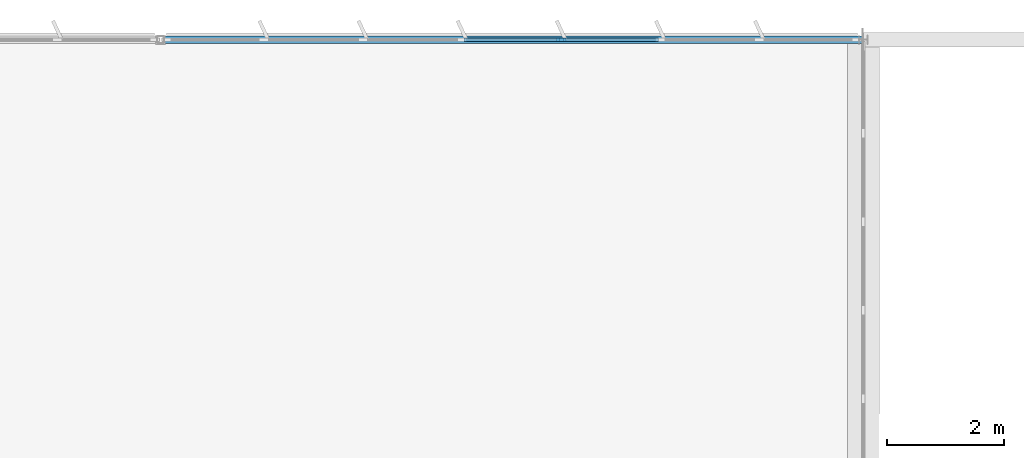
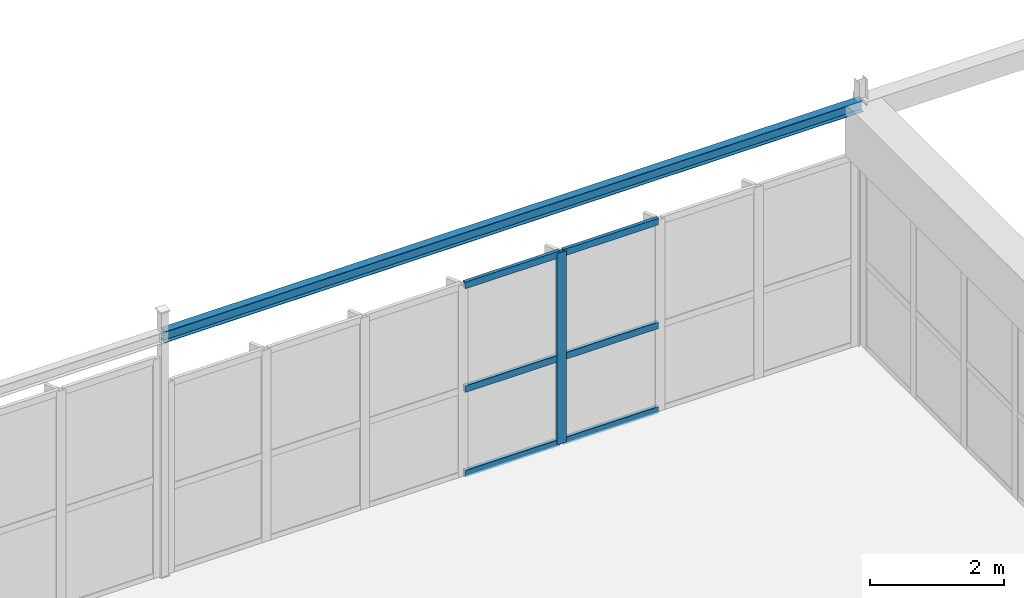
# One storey, part 104 of 226: 7 members, 1 beam, 1 element without a shape of its own.
"""IFC4 building model written with IfcOpenShell, lengths in metres."""

import ifcopenshell
import ifcopenshell.guid

model = None  # the IFC model being written
_history = None  # IfcOwnerHistory: only IFC2X3 demands one
_inside = {}  # id of a spatial element -> (the spatial element, [elements in it])
_under = {}  # id of a project, library or spatial element -> (it, [spatial elements below it])
_declared = {}  # id of a project -> (the project, [libraries it declares])
_typed = {}  # id of a type object -> (the type object, [elements of that type])
_made_of = {}  # id of a material, layer set ... -> (it, [elements and type objects made of it])


def new_model(schema):
    """Start an empty IFC model of exactly this schema.

    Asked for "IFC4X3", IfcOpenShell would pick the latest addendum, in which some entities
    have other attributes; the version numbers below select the first issue.
    IFC2X3 requires an IfcOwnerHistory on every rooted entity: one is made here for all.
    """
    global model, _history
    if schema == "IFC4X3":
        model = ifcopenshell.file(schema_version=(4, 3, 0, 0))
    else:
        model = ifcopenshell.file(schema=schema)
    _inside.clear()
    _under.clear()
    _declared.clear()
    _typed.clear()
    _made_of.clear()
    _history = None
    if model.schema == "IFC2X3":
        org = make("IfcOrganization", Name="unknown")
        user = make(
            "IfcPersonAndOrganization",
            ThePerson=make("IfcPerson", FamilyName="unknown"),
            TheOrganization=org,
        )
        app = make(
            "IfcApplication",
            ApplicationDeveloper=org,
            Version="unknown",
            ApplicationFullName="unknown",
            ApplicationIdentifier="unknown",
        )
        _history = make(
            "IfcOwnerHistory",
            OwningUser=user,
            OwningApplication=app,
            ChangeAction="ADDED",
            CreationDate=0,
        )
    return model


def make(cls, **values):
    """One entity of the class cls with the attributes given. An attribute that is None is left unset."""
    return model.create_entity(
        cls, **{name: value for name, value in values.items() if value is not None}
    )


def rooted(cls, **values):
    """An entity with a GlobalId (a new one), such as an element, a storey or a relation."""
    return make(cls, GlobalId=ifcopenshell.guid.new(), OwnerHistory=_history, **values)


def si_unit(unit_type, name, prefix=None):
    """IfcSIUnit, for example si_unit("LENGTHUNIT", "METRE", prefix="MILLI")."""
    return make("IfcSIUnit", UnitType=unit_type, Prefix=prefix, Name=name)


def assignment(units):
    """IfcUnitAssignment: the units of a project."""
    return None if units is None else make("IfcUnitAssignment", Units=units)


def point(xyz):
    """IfcCartesianPoint."""
    return None if xyz is None else make("IfcCartesianPoint", Coordinates=xyz)


def direction(xyz):
    """IfcDirection."""
    return None if xyz is None else make("IfcDirection", DirectionRatios=xyz)


def frame(location, z_axis=None, x_axis=None):
    """IfcAxis2Placement3D, a coordinate frame: its origin and axes. An axis left out is left unset."""
    return make(
        "IfcAxis2Placement3D",
        Location=point(location),
        Axis=direction(z_axis),
        RefDirection=direction(x_axis),
    )


def frame_2d(location, x_axis=None):
    """IfcAxis2Placement2D, a coordinate frame in the plane: its origin and x axis."""
    return make(
        "IfcAxis2Placement2D", Location=point(location), RefDirection=direction(x_axis)
    )


def origin():
    """The frame at (0, 0, 0) with its axes left unset."""
    return frame((0.0, 0.0, 0.0))


def origin_2d():
    """The frame at (0, 0) in the plane with its x axis left unset."""
    return frame_2d((0.0, 0.0))


def place(relative_to, where):
    """IfcLocalPlacement: puts the frame where relative to a parent placement (None: the world)."""
    return make(
        "IfcLocalPlacement", PlacementRelTo=relative_to, RelativePlacement=where
    )


def context(
    kind, dimensions, precision=None, world=None, true_north=None, identifier=None
):
    """IfcGeometricRepresentationContext, for example the 3D "Model" context."""
    return make(
        "IfcGeometricRepresentationContext",
        ContextIdentifier=identifier,
        ContextType=kind,
        CoordinateSpaceDimension=dimensions,
        Precision=precision,
        WorldCoordinateSystem=world,
        TrueNorth=true_north,
    )


def subcontext(parent, identifier, kind, view, scale=None):
    """IfcGeometricRepresentationSubContext, for example "Body" below "Model"."""
    return make(
        "IfcGeometricRepresentationSubContext",
        ContextIdentifier=identifier,
        ContextType=kind,
        ParentContext=parent,
        TargetScale=scale,
        TargetView=view,
    )


def project(units=None, contexts=None):
    """IfcProject with its units and contexts."""
    return rooted(
        "IfcProject",
        Name="project",
        RepresentationContexts=contexts,
        UnitsInContext=assignment(units),
    )


def spatial(cls, under=None, at=None, **own):
    """A site, building, storey or space (cls), placed at a placement, below another one or the project."""
    s = rooted(cls, ObjectPlacement=at, **own)
    if under is not None:
        _under.setdefault(under.id(), (under, []))[1].append(s)
    return s


def profile(cls, at=None, kind="AREA", **sizes):
    """A parametric profile (cls). Its sizes go by their IFC names, for example OverallWidth=200.0."""
    return make(cls, ProfileType=kind, Position=at, **sizes)


def rectangle(**sizes):
    """IfcRectangleProfileDef."""
    return profile("IfcRectangleProfileDef", **sizes)


def i_section(**sizes):
    """IfcIShapeProfileDef."""
    return profile("IfcIShapeProfileDef", **sizes)


def extrude(swept, where, along, depth):
    """IfcExtrudedAreaSolid: the profile swept, set in the frame where, extruded along a direction by depth."""
    return make(
        "IfcExtrudedAreaSolid",
        SweptArea=swept,
        Position=where,
        ExtrudedDirection=direction(along),
        Depth=depth,
    )


def shape(context_of_items, identifier, shape_type, items):
    """IfcShapeRepresentation: the items that make up one representation, for example the "Body"."""
    return make(
        "IfcShapeRepresentation",
        ContextOfItems=context_of_items,
        RepresentationIdentifier=identifier,
        RepresentationType=shape_type,
        Items=items,
    )


def material(Name=None, Category=None):
    """IfcMaterial."""
    return make("IfcMaterial", Name=Name, Category=Category)


def layer(
    of_material, thickness, ventilated=None, Name=None, Category=None, Priority=None
):
    """IfcMaterialLayer: one layer of a wall or slab, of a material (None: an air gap)."""
    return make(
        "IfcMaterialLayer",
        Material=of_material,
        LayerThickness=thickness,
        IsVentilated=ventilated,
        Name=Name,
        Category=Category,
        Priority=Priority,
    )


def layer_set(layers, Name=None):
    """IfcMaterialLayerSet."""
    return make("IfcMaterialLayerSet", MaterialLayers=layers, LayerSetName=Name)


def material_profile(
    of_material, cross_section, Name=None, Category=None, Priority=None
):
    """IfcMaterialProfile: a cross section and its material."""
    return make(
        "IfcMaterialProfile",
        Name=Name,
        Material=of_material,
        Profile=cross_section,
        Priority=Priority,
        Category=Category,
    )


def profile_set(profiles, Name=None, composite=None):
    """IfcMaterialProfileSet."""
    return make(
        "IfcMaterialProfileSet",
        Name=Name,
        MaterialProfiles=profiles,
        CompositeProfile=composite,
    )


def made_of(thing, what):
    """Note that an element or type object is made of a material, layer set ...; save() writes the relation."""
    if what is not None:
        _made_of.setdefault(what.id(), (what, []))[1].append(thing)
    return thing


def type_object(cls, material=None, **own):
    """A type object (cls), such as IfcWallType, which elements share."""
    return made_of(rooted(cls, **own), material)


def element(
    cls,
    number,
    at=None,
    inside=None,
    cuts=None,
    type_object=None,
    material=None,
    context=None,
    identifier="Body",
    shape_type=None,
    held_by="IfcProductDefinitionShape",
    body=None,
    shapes=None,
    **own,
):
    """One element of the class cls, such as IfcWall. Its Tag is "e" and its number.

    at: its placement. inside: the storey or other place that contains it. cuts: it is an
    opening in that element (IfcRelVoidsElement). A single representation is given by context,
    identifier, shape_type and body (its items); several are given by shapes. held_by: the class
    of the entity that holds the representations. save() writes the other relations.
    """
    e = rooted(cls, Tag="e%d" % number, ObjectPlacement=at, **own)
    if body is not None:
        shapes = [shape(context, identifier, shape_type, body)]
    if shapes is not None:
        e.Representation = make(held_by, Representations=shapes)
    if inside is not None:
        _inside.setdefault(inside.id(), (inside, []))[1].append(e)
    if cuts is not None:
        rooted(
            "IfcRelVoidsElement", RelatingBuildingElement=cuts, RelatedOpeningElement=e
        )
    if type_object is not None:
        _typed.setdefault(type_object.id(), (type_object, []))[1].append(e)
    return made_of(e, material)


def aggregate(whole, parts):
    """IfcRelAggregates: a whole, such as a stair, and the parts it consists of."""
    return rooted("IfcRelAggregates", RelatingObject=whole, RelatedObjects=parts)


def save(model, path):
    """Write the relations noted so far, then the file.

    IfcRelAggregates (storeys below a building ...), IfcRelContainedInSpatialStructure (elements
    in a storey), IfcRelDefinesByType, IfcRelAssociatesMaterial and IfcRelDeclares: one each for
    every whole, place, type object, material and project.
    """
    for whole, parts in _under.values():
        aggregate(whole, parts)
    for where, things in _inside.values():
        rooted(
            "IfcRelContainedInSpatialStructure",
            RelatedElements=things,
            RelatingStructure=where,
        )
    for kind, things in _typed.values():
        rooted("IfcRelDefinesByType", RelatedObjects=things, RelatingType=kind)
    for what, things in _made_of.values():
        rooted("IfcRelAssociatesMaterial", RelatedObjects=things, RelatingMaterial=what)
    for by, libraries in _declared.values():
        rooted("IfcRelDeclares", RelatingContext=by, RelatedDefinitions=libraries)
    model.write(path)


model = new_model("IFC4")

# Units and contexts
model_context = context("Model", 3, precision=1e-05, world=origin(), true_north=direction((0.0, 1.0)))
body_context = subcontext(model_context, "Body", "Model", "MODEL_VIEW")
ifc_project = project(units=[si_unit("LENGTHUNIT", "METRE"), si_unit("AREAUNIT", "SQUARE_METRE"), si_unit("VOLUMEUNIT", "CUBIC_METRE"), si_unit("PLANEANGLEUNIT", "RADIAN"), si_unit("MASSUNIT", "GRAM", prefix="KILO")], contexts=[model_context])

# Site, building, storey
site_placement = place(None, origin())
site = spatial("IfcSite", under=ifc_project, at=site_placement, CompositionType="ELEMENT")
building_placement = place(site_placement, origin())
building = spatial("IfcBuilding", under=site, at=building_placement, Name="Tarnwether General Hospital", CompositionType="ELEMENT")
storey_placement = place(building_placement, frame((0.0, 0.0, 4.800048828125)))
storey = spatial("IfcBuildingStorey", under=building, at=storey_placement, Name="L01", CompositionType="ELEMENT", Elevation=4.800048828125)

# Beam
ifc_material_1 = material(Name="Steel Grade 350 (350 MPa)", Category="steel")
ifc_material_profile_1 = material_profile(ifc_material_1, i_section(OverallWidth=0.133056640625, OverallDepth=0.201904296875, WebThickness=0.0048828125, FlangeThickness=0.007080078125, at=origin_2d()), Name="200UB22.3")
ifc_profile_set_1 = profile_set([ifc_material_profile_1], Name="Steel Grade 350 (350 MPa)")
beam_type = type_object("IfcBeamType", Name="BM-SP6", PredefinedType="SPANDREL", material=ifc_profile_set_1)
beam_placement = place(storey_placement, frame((120.0, 126.0, 4.343994140625), z_axis=(1.0, 0.0, 0.0), x_axis=(0.0, 1.0, 0.0)))
element("IfcBeam", 1, at=beam_placement, inside=storey, type_object=beam_type, Name="Primary Girder BMG-L01-12000_12600-13200_12600-1191", PredefinedType="SPANDREL", context=body_context, shape_type="SweptSolid", body=[
    extrude(i_section(OverallWidth=0.133056640625, OverallDepth=0.201904296875, WebThickness=0.0048828125, FlangeThickness=0.007080078125, at=origin_2d()), origin(), (0.0, 0.0, 1.0), 12.0),
])

# Curtain wall, members
ifc_material_2 = material(Name="Anodised aluminium", Category="aluminium")
ifc_layer = layer(ifc_material_2, 0.159912109375)
ifc_layer_set = layer_set([ifc_layer], Name="Anodised aluminium")
curtain_wall_type = type_object("IfcCurtainWallType", Name="CW-14", PredefinedType="NOTDEFINED", material=ifc_layer_set)
curtain_wall_placement = place(storey_placement, origin())
curtain_wall = element("IfcCurtainWall", 2, at=curtain_wall_placement, inside=storey, type_object=curtain_wall_type, Name="Curtain Wall CWG-L01-1201_1260-0328", PredefinedType="NOTDEFINED")
ifc_material_3 = material(Name="Anodised aluminium", Category="aluminium")
ifc_material_profile_2 = material_profile(ifc_material_3, rectangle(XDim=0.06005859375, YDim=0.159912109375, at=origin_2d()), Name="ALU-MUL-60x160")
ifc_profile_set_2 = profile_set([ifc_material_profile_2], Name="Anodised aluminium")
member_type_1 = type_object("IfcMemberType", Name="CW-ML1", PredefinedType="MULLION", material=ifc_profile_set_2)
member_1_placement = place(storey_placement, frame((126.839599609375, 126.0, 0.0), z_axis=(0.0, 0.0, 1.0), x_axis=(0.0, 1.0, 0.0)))
member_1 = element("IfcMember", 3, at=member_1_placement, type_object=member_type_1, Name="CW-14 mullion 5", PredefinedType="MULLION", context=body_context, shape_type="SweptSolid", body=[
    extrude(rectangle(XDim=0.06005859375, YDim=0.159912109375, at=origin_2d()), origin(), (0.0, 0.0, 1.0), 3.47998046875),
])
ifc_material_4 = material(Name="Anodised aluminium", Category="aluminium")
ifc_material_profile_3 = material_profile(ifc_material_4, rectangle(XDim=0.06005859375, YDim=0.1201171875, at=origin_2d()), Name="ALU-TRN-60x120")
ifc_profile_set_3 = profile_set([ifc_material_profile_3], Name="Anodised aluminium")
member_type_2 = type_object("IfcMemberType", Name="CW-TR1", PredefinedType="USERDEFINED", material=ifc_profile_set_3)
member_2_placement = place(storey_placement, frame((125.177490234375, 126.0, 0.030029296875), z_axis=(1.0, 0.0, 0.0), x_axis=(0.0, 1.0, 0.0)))
member_2 = element("IfcMember", 4, at=member_2_placement, type_object=member_type_2, Name="CW-14 transom 4.1", ObjectType="TRANSOM", PredefinedType="USERDEFINED", context=body_context, shape_type="SweptSolid", body=[
    extrude(rectangle(XDim=0.06005859375, YDim=0.1201171875, at=origin_2d()), origin(), (0.0, 0.0, 1.0), 1.632080078125),
])
member_3_placement = place(storey_placement, frame((125.177490234375, 126.0, 1.56591796875), z_axis=(1.0, 0.0, 0.0), x_axis=(0.0, 1.0, 0.0)))
member_3 = element("IfcMember", 5, at=member_3_placement, type_object=member_type_2, Name="CW-14 transom 4.2", ObjectType="TRANSOM", PredefinedType="USERDEFINED", context=body_context, shape_type="SweptSolid", body=[
    extrude(rectangle(XDim=0.06005859375, YDim=0.1201171875, at=origin_2d()), origin(), (0.0, 0.0, 1.0), 1.632080078125),
])
member_4_placement = place(storey_placement, frame((125.177490234375, 126.0, 3.449951171875), z_axis=(1.0, 0.0, 0.0), x_axis=(0.0, 1.0, 0.0)))
member_4 = element("IfcMember", 6, at=member_4_placement, type_object=member_type_2, Name="CW-14 transom 4.3", ObjectType="TRANSOM", PredefinedType="USERDEFINED", context=body_context, shape_type="SweptSolid", body=[
    extrude(rectangle(XDim=0.06005859375, YDim=0.1201171875, at=origin_2d()), origin(), (0.0, 0.0, 1.0), 1.632080078125),
])
member_5_placement = place(storey_placement, frame((126.86962890625, 126.0, 0.030029296875), z_axis=(1.0, 0.0, 0.0), x_axis=(0.0, 1.0, 0.0)))
member_5 = element("IfcMember", 7, at=member_5_placement, type_object=member_type_2, Name="CW-14 transom 5.1", ObjectType="TRANSOM", PredefinedType="USERDEFINED", context=body_context, shape_type="SweptSolid", body=[
    extrude(rectangle(XDim=0.06005859375, YDim=0.1201171875, at=origin_2d()), origin(), (0.0, 0.0, 1.0), 1.632080078125),
])
member_6_placement = place(storey_placement, frame((126.86962890625, 126.0, 1.56591796875), z_axis=(1.0, 0.0, 0.0), x_axis=(0.0, 1.0, 0.0)))
member_6 = element("IfcMember", 8, at=member_6_placement, type_object=member_type_2, Name="CW-14 transom 5.2", ObjectType="TRANSOM", PredefinedType="USERDEFINED", context=body_context, shape_type="SweptSolid", body=[
    extrude(rectangle(XDim=0.06005859375, YDim=0.1201171875, at=origin_2d()), origin(), (0.0, 0.0, 1.0), 1.632080078125),
])
member_7_placement = place(storey_placement, frame((126.86962890625, 126.0, 3.449951171875), z_axis=(1.0, 0.0, 0.0), x_axis=(0.0, 1.0, 0.0)))
member_7 = element("IfcMember", 9, at=member_7_placement, type_object=member_type_2, Name="CW-14 transom 5.3", ObjectType="TRANSOM", PredefinedType="USERDEFINED", context=body_context, shape_type="SweptSolid", body=[
    extrude(rectangle(XDim=0.06005859375, YDim=0.1201171875, at=origin_2d()), origin(), (0.0, 0.0, 1.0), 1.632080078125),
])
aggregate(curtain_wall, [member_1, member_2, member_3, member_4, member_5, member_6, member_7])

save(model, "model.ifc")
